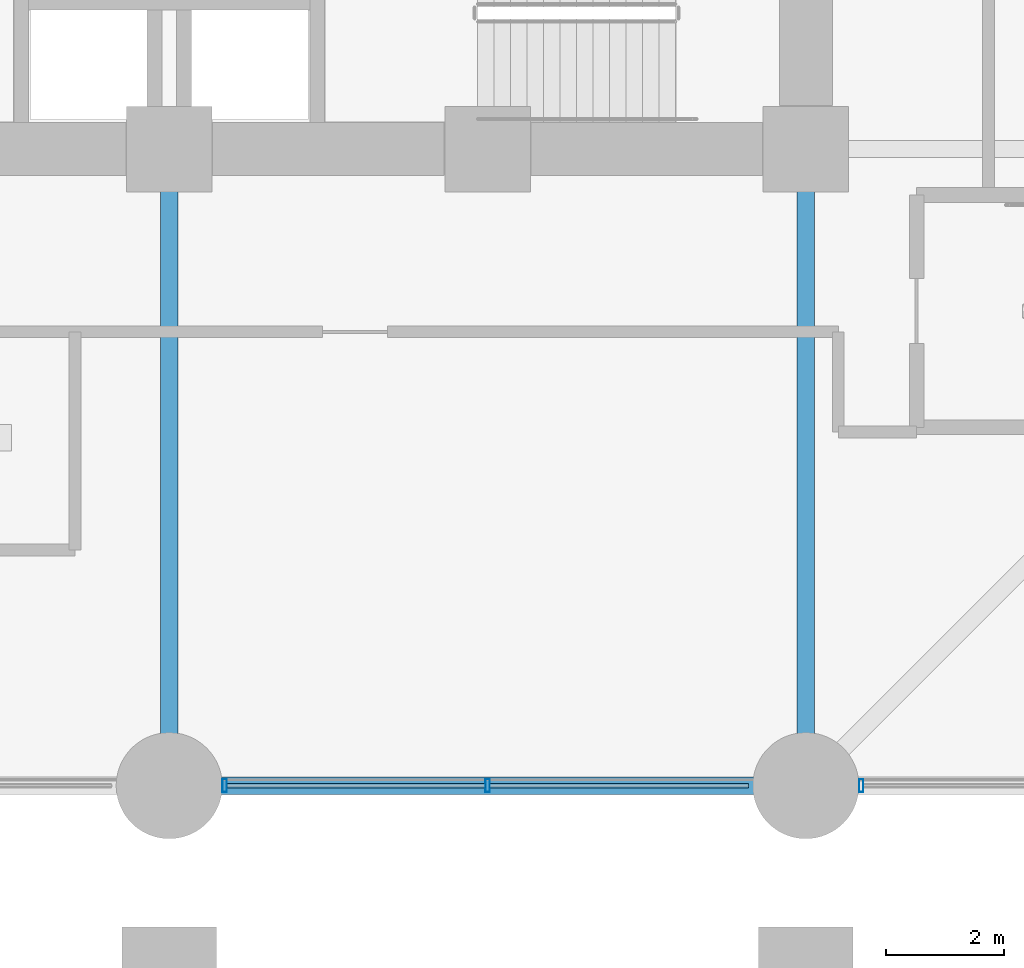
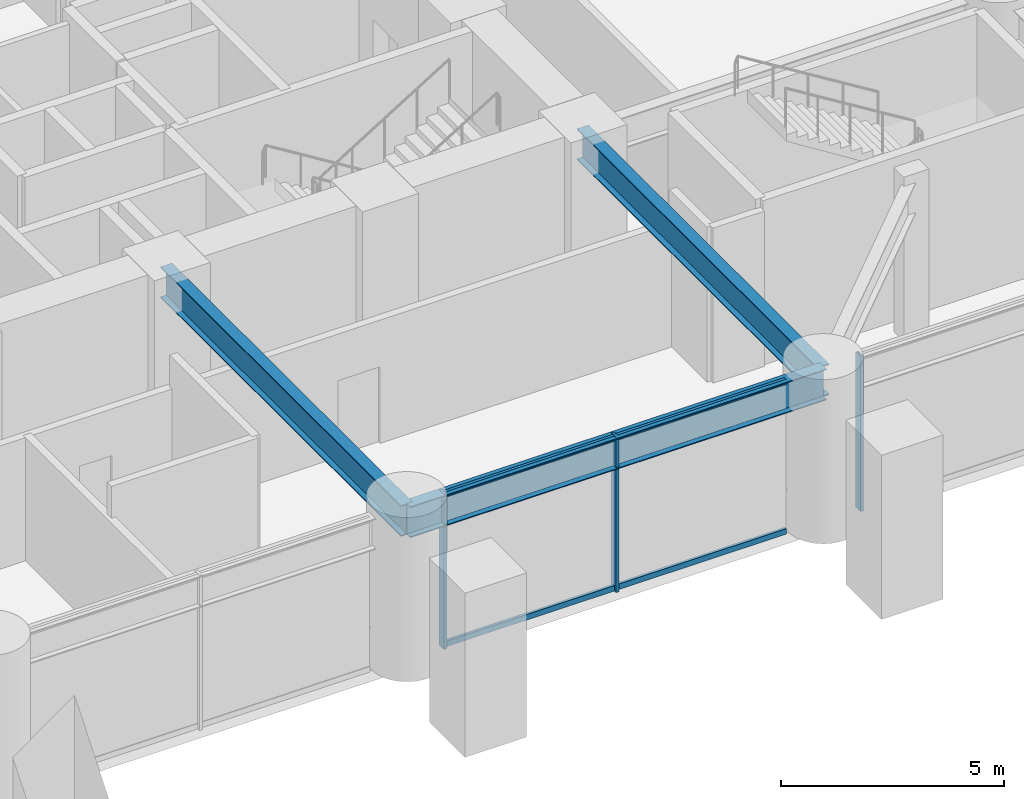
# One storey, part 9 of 31: 7 members, 3 beams, 1 element without a shape of its own.
"""IFC4 building model written with IfcOpenShell, lengths in metres."""

import ifcopenshell
import ifcopenshell.guid

model = None  # the IFC model being written
_history = None  # IfcOwnerHistory: only IFC2X3 demands one
_inside = {}  # id of a spatial element -> (the spatial element, [elements in it])
_under = {}  # id of a project, library or spatial element -> (it, [spatial elements below it])
_declared = {}  # id of a project -> (the project, [libraries it declares])
_typed = {}  # id of a type object -> (the type object, [elements of that type])
_made_of = {}  # id of a material, layer set ... -> (it, [elements and type objects made of it])


def new_model(schema):
    """Start an empty IFC model of exactly this schema.

    Asked for "IFC4X3", IfcOpenShell would pick the latest addendum, in which some entities
    have other attributes; the version numbers below select the first issue.
    IFC2X3 requires an IfcOwnerHistory on every rooted entity: one is made here for all.
    """
    global model, _history
    if schema == "IFC4X3":
        model = ifcopenshell.file(schema_version=(4, 3, 0, 0))
    else:
        model = ifcopenshell.file(schema=schema)
    _inside.clear()
    _under.clear()
    _declared.clear()
    _typed.clear()
    _made_of.clear()
    _history = None
    if model.schema == "IFC2X3":
        org = make("IfcOrganization", Name="unknown")
        user = make(
            "IfcPersonAndOrganization",
            ThePerson=make("IfcPerson", FamilyName="unknown"),
            TheOrganization=org,
        )
        app = make(
            "IfcApplication",
            ApplicationDeveloper=org,
            Version="unknown",
            ApplicationFullName="unknown",
            ApplicationIdentifier="unknown",
        )
        _history = make(
            "IfcOwnerHistory",
            OwningUser=user,
            OwningApplication=app,
            ChangeAction="ADDED",
            CreationDate=0,
        )
    return model


def make(cls, **values):
    """One entity of the class cls with the attributes given. An attribute that is None is left unset."""
    return model.create_entity(
        cls, **{name: value for name, value in values.items() if value is not None}
    )


def rooted(cls, **values):
    """An entity with a GlobalId (a new one), such as an element, a storey or a relation."""
    return make(cls, GlobalId=ifcopenshell.guid.new(), OwnerHistory=_history, **values)


def si_unit(unit_type, name, prefix=None):
    """IfcSIUnit, for example si_unit("LENGTHUNIT", "METRE", prefix="MILLI")."""
    return make("IfcSIUnit", UnitType=unit_type, Prefix=prefix, Name=name)


def assignment(units):
    """IfcUnitAssignment: the units of a project."""
    return None if units is None else make("IfcUnitAssignment", Units=units)


def point(xyz):
    """IfcCartesianPoint."""
    return None if xyz is None else make("IfcCartesianPoint", Coordinates=xyz)


def direction(xyz):
    """IfcDirection."""
    return None if xyz is None else make("IfcDirection", DirectionRatios=xyz)


def frame(location, z_axis=None, x_axis=None):
    """IfcAxis2Placement3D, a coordinate frame: its origin and axes. An axis left out is left unset."""
    return make(
        "IfcAxis2Placement3D",
        Location=point(location),
        Axis=direction(z_axis),
        RefDirection=direction(x_axis),
    )


def frame_2d(location, x_axis=None):
    """IfcAxis2Placement2D, a coordinate frame in the plane: its origin and x axis."""
    return make(
        "IfcAxis2Placement2D", Location=point(location), RefDirection=direction(x_axis)
    )


def origin():
    """The frame at (0, 0, 0) with its axes left unset."""
    return frame((0.0, 0.0, 0.0))


def origin_2d():
    """The frame at (0, 0) in the plane with its x axis left unset."""
    return frame_2d((0.0, 0.0))


def place(relative_to, where):
    """IfcLocalPlacement: puts the frame where relative to a parent placement (None: the world)."""
    return make(
        "IfcLocalPlacement", PlacementRelTo=relative_to, RelativePlacement=where
    )


def context(
    kind, dimensions, precision=None, world=None, true_north=None, identifier=None
):
    """IfcGeometricRepresentationContext, for example the 3D "Model" context."""
    return make(
        "IfcGeometricRepresentationContext",
        ContextIdentifier=identifier,
        ContextType=kind,
        CoordinateSpaceDimension=dimensions,
        Precision=precision,
        WorldCoordinateSystem=world,
        TrueNorth=true_north,
    )


def subcontext(parent, identifier, kind, view, scale=None):
    """IfcGeometricRepresentationSubContext, for example "Body" below "Model"."""
    return make(
        "IfcGeometricRepresentationSubContext",
        ContextIdentifier=identifier,
        ContextType=kind,
        ParentContext=parent,
        TargetScale=scale,
        TargetView=view,
    )


def project(units=None, contexts=None):
    """IfcProject with its units and contexts."""
    return rooted(
        "IfcProject",
        Name="project",
        RepresentationContexts=contexts,
        UnitsInContext=assignment(units),
    )


def spatial(cls, under=None, at=None, **own):
    """A site, building, storey or space (cls), placed at a placement, below another one or the project."""
    s = rooted(cls, ObjectPlacement=at, **own)
    if under is not None:
        _under.setdefault(under.id(), (under, []))[1].append(s)
    return s


def profile(cls, at=None, kind="AREA", **sizes):
    """A parametric profile (cls). Its sizes go by their IFC names, for example OverallWidth=200.0."""
    return make(cls, ProfileType=kind, Position=at, **sizes)


def hollow_rectangle(**sizes):
    """IfcRectangleHollowProfileDef."""
    return profile("IfcRectangleHollowProfileDef", **sizes)


def i_section(**sizes):
    """IfcIShapeProfileDef."""
    return profile("IfcIShapeProfileDef", **sizes)


def extrude(swept, where, along, depth):
    """IfcExtrudedAreaSolid: the profile swept, set in the frame where, extruded along a direction by depth."""
    return make(
        "IfcExtrudedAreaSolid",
        SweptArea=swept,
        Position=where,
        ExtrudedDirection=direction(along),
        Depth=depth,
    )


def shape(context_of_items, identifier, shape_type, items):
    """IfcShapeRepresentation: the items that make up one representation, for example the "Body"."""
    return make(
        "IfcShapeRepresentation",
        ContextOfItems=context_of_items,
        RepresentationIdentifier=identifier,
        RepresentationType=shape_type,
        Items=items,
    )


def material(Name=None, Category=None):
    """IfcMaterial."""
    return make("IfcMaterial", Name=Name, Category=Category)


def layer(
    of_material, thickness, ventilated=None, Name=None, Category=None, Priority=None
):
    """IfcMaterialLayer: one layer of a wall or slab, of a material (None: an air gap)."""
    return make(
        "IfcMaterialLayer",
        Material=of_material,
        LayerThickness=thickness,
        IsVentilated=ventilated,
        Name=Name,
        Category=Category,
        Priority=Priority,
    )


def layer_set(layers, Name=None):
    """IfcMaterialLayerSet."""
    return make("IfcMaterialLayerSet", MaterialLayers=layers, LayerSetName=Name)


def material_profile(
    of_material, cross_section, Name=None, Category=None, Priority=None
):
    """IfcMaterialProfile: a cross section and its material."""
    return make(
        "IfcMaterialProfile",
        Name=Name,
        Material=of_material,
        Profile=cross_section,
        Priority=Priority,
        Category=Category,
    )


def profile_set(profiles, Name=None, composite=None):
    """IfcMaterialProfileSet."""
    return make(
        "IfcMaterialProfileSet",
        Name=Name,
        MaterialProfiles=profiles,
        CompositeProfile=composite,
    )


def made_of(thing, what):
    """Note that an element or type object is made of a material, layer set ...; save() writes the relation."""
    if what is not None:
        _made_of.setdefault(what.id(), (what, []))[1].append(thing)
    return thing


def type_object(cls, material=None, **own):
    """A type object (cls), such as IfcWallType, which elements share."""
    return made_of(rooted(cls, **own), material)


def element(
    cls,
    number,
    at=None,
    inside=None,
    cuts=None,
    type_object=None,
    material=None,
    context=None,
    identifier="Body",
    shape_type=None,
    held_by="IfcProductDefinitionShape",
    body=None,
    shapes=None,
    **own,
):
    """One element of the class cls, such as IfcWall. Its Tag is "e" and its number.

    at: its placement. inside: the storey or other place that contains it. cuts: it is an
    opening in that element (IfcRelVoidsElement). A single representation is given by context,
    identifier, shape_type and body (its items); several are given by shapes. held_by: the class
    of the entity that holds the representations. save() writes the other relations.
    """
    e = rooted(cls, Tag="e%d" % number, ObjectPlacement=at, **own)
    if body is not None:
        shapes = [shape(context, identifier, shape_type, body)]
    if shapes is not None:
        e.Representation = make(held_by, Representations=shapes)
    if inside is not None:
        _inside.setdefault(inside.id(), (inside, []))[1].append(e)
    if cuts is not None:
        rooted(
            "IfcRelVoidsElement", RelatingBuildingElement=cuts, RelatedOpeningElement=e
        )
    if type_object is not None:
        _typed.setdefault(type_object.id(), (type_object, []))[1].append(e)
    return made_of(e, material)


def aggregate(whole, parts):
    """IfcRelAggregates: a whole, such as a stair, and the parts it consists of."""
    return rooted("IfcRelAggregates", RelatingObject=whole, RelatedObjects=parts)


def save(model, path):
    """Write the relations noted so far, then the file.

    IfcRelAggregates (storeys below a building ...), IfcRelContainedInSpatialStructure (elements
    in a storey), IfcRelDefinesByType, IfcRelAssociatesMaterial and IfcRelDeclares: one each for
    every whole, place, type object, material and project.
    """
    for whole, parts in _under.values():
        aggregate(whole, parts)
    for where, things in _inside.values():
        rooted(
            "IfcRelContainedInSpatialStructure",
            RelatedElements=things,
            RelatingStructure=where,
        )
    for kind, things in _typed.values():
        rooted("IfcRelDefinesByType", RelatedObjects=things, RelatingType=kind)
    for what, things in _made_of.values():
        rooted("IfcRelAssociatesMaterial", RelatedObjects=things, RelatingMaterial=what)
    for by, libraries in _declared.values():
        rooted("IfcRelDeclares", RelatingContext=by, RelatedDefinitions=libraries)
    model.write(path)


model = new_model("IFC4")

# Units and contexts
model_context = context("Model", 3, precision=1e-05, world=origin(), true_north=direction((0.0, 1.0)))
body_context = subcontext(model_context, "Body", "Model", "MODEL_VIEW")
ifc_project = project(units=[si_unit("LENGTHUNIT", "METRE"), si_unit("AREAUNIT", "SQUARE_METRE"), si_unit("VOLUMEUNIT", "CUBIC_METRE"), si_unit("PLANEANGLEUNIT", "RADIAN"), si_unit("MASSUNIT", "GRAM", prefix="KILO")], contexts=[model_context])

# Site, building, storey
site_placement = place(None, origin())
site = spatial("IfcSite", under=ifc_project, at=site_placement, CompositionType="ELEMENT")
building_placement = place(site_placement, origin())
building = spatial("IfcBuilding", under=site, at=building_placement, Name="Surkhivell Harbour Commons", CompositionType="ELEMENT")
storey_placement = place(building_placement, frame((0.0, 0.0, 4.5)))
storey = spatial("IfcBuildingStorey", under=building, at=storey_placement, Name="L01", CompositionType="ELEMENT", Elevation=4.5)

# Beams
ifc_material_1 = material(Name="Steel S460", Category="steel")
ifc_material_profile_1 = material_profile(ifc_material_1, i_section(OverallWidth=0.2939453125, OverallDepth=0.85107421875, WebThickness=0.01611328125, FlangeThickness=0.02685546875, at=origin_2d()), Name="UB838x292x226")
ifc_profile_set_1 = profile_set([ifc_material_profile_1], Name="Steel S460")
beam_type = type_object("IfcBeamType", Name="BM-SPN-838", PredefinedType="SPANDREL", material=ifc_profile_set_1)
for number, where, z_axis, x_axis, name in (
    (1, (0.0, -21.60009765625, 3.824462890625), (0.0, 1.0, 0.0), (-1.0, 0.0, 0.0), "L01 Framing Beam (0.0,-21.6)"),
    (2, (0.0, -21.60009765625, 3.824462890625), (1.0, 0.0, 0.0), (0.0, 1.0, 0.0), "L01 Framing Beam (0.0,-21.6)"),
    (3, (10.800048828125, -21.60009765625, 3.824462890625), (0.0, 1.0, 0.0), (-1.0, 0.0, 0.0), "L01 Framing Beam (10.8,-21.6)"),
):
    element("IfcBeam", number, at=place(storey_placement, frame(where, z_axis=z_axis, x_axis=x_axis)), inside=storey, type_object=beam_type, Name=name, PredefinedType="SPANDREL", context=body_context, shape_type="SweptSolid", body=[
        extrude(i_section(OverallWidth=0.2939453125, OverallDepth=0.85107421875, WebThickness=0.01611328125, FlangeThickness=0.02685546875, at=origin_2d()), origin(), (0.0, 0.0, 1.0), 10.800048828125),
    ])

# Curtain wall, members
ifc_material_2 = material(Name="Anodised pale-metal aluminium and insulated glazing", Category="aluminium")
ifc_layer = layer(ifc_material_2, 0.239990234375)
ifc_layer_set = layer_set([ifc_layer], Name="Anodised pale-metal aluminium and insulated glazing")
curtain_wall_type = type_object("IfcCurtainWallType", Name="CW-SYS-POD", PredefinedType="NOTDEFINED", material=ifc_layer_set)
curtain_wall_placement = place(storey_placement, origin())
curtain_wall = element("IfcCurtainWall", 4, at=curtain_wall_placement, inside=storey, type_object=curtain_wall_type, Name="L01 Curtain Wall CW-L01-P01", PredefinedType="NOTDEFINED")
ifc_material_3 = material(Name="Anodised pale-metal aluminium alloy 6063-T6", Category="aluminium")
ifc_material_profile_2 = material_profile(ifc_material_3, hollow_rectangle(XDim=0.074951171875, YDim=0.219970703125, WallThickness=0.00390625, at=origin_2d()), Name="ALU-MULL-75x220")
ifc_profile_set_2 = profile_set([ifc_material_profile_2], Name="Anodised pale-metal aluminium alloy 6063-T6")
member_type_1 = type_object("IfcMemberType", Name="CWM-220", PredefinedType="MULLION", material=ifc_profile_set_2)
member_1_placement = place(storey_placement, frame((0.939453125, -21.60009765625, 0.0), z_axis=(0.0, 0.0, 1.0), x_axis=(1.0, 0.0, 0.0)))
member_1 = element("IfcMember", 5, at=member_1_placement, type_object=member_type_1, Name="CW-POD mullion 7", PredefinedType="MULLION", context=body_context, shape_type="SweptSolid", body=[
    extrude(hollow_rectangle(XDim=0.074951171875, YDim=0.219970703125, WallThickness=0.00390625, at=origin_2d()), origin(), (0.0, 0.0, 1.0), 4.25),
])
member_2_placement = place(storey_placement, frame((5.39990234375, -21.60009765625, 0.0), z_axis=(0.0, 0.0, 1.0), x_axis=(1.0, 0.0, 0.0)))
member_2 = element("IfcMember", 6, at=member_2_placement, type_object=member_type_1, Name="CW-POD mullion 8", PredefinedType="MULLION", context=body_context, shape_type="SweptSolid", body=[
    extrude(hollow_rectangle(XDim=0.074951171875, YDim=0.219970703125, WallThickness=0.00390625, at=origin_2d()), origin(), (0.0, 0.0, 1.0), 4.25),
])
member_3_placement = place(storey_placement, frame((11.739501953125, -21.60009765625, 0.0), z_axis=(0.0, 0.0, 1.0), x_axis=(1.0, 0.0, 0.0)))
member_3 = element("IfcMember", 7, at=member_3_placement, type_object=member_type_1, Name="CW-POD mullion 9", PredefinedType="MULLION", context=body_context, shape_type="SweptSolid", body=[
    extrude(hollow_rectangle(XDim=0.074951171875, YDim=0.219970703125, WallThickness=0.00390625, at=origin_2d()), origin(), (0.0, 0.0, 1.0), 4.25),
])
ifc_material_profile_3 = material_profile(ifc_material_3, hollow_rectangle(XDim=0.074951171875, YDim=0.14990234375, WallThickness=0.00341796875, at=origin_2d()), Name="ALU-TRAN-75x150")
ifc_profile_set_3 = profile_set([ifc_material_profile_3], Name="Anodised pale-metal aluminium alloy 6063-T6")
member_type_2 = type_object("IfcMemberType", Name="CWT-150", PredefinedType="USERDEFINED", material=ifc_profile_set_3)
member_4_placement = place(storey_placement, frame((0.97705078125, -21.60009765625, 0.074951171875), z_axis=(1.0, 0.0, 0.0), x_axis=(0.0, 1.0, 0.0)))
member_4 = element("IfcMember", 8, at=member_4_placement, type_object=member_type_2, Name="CW-POD transom 7.1", ObjectType="TRANSOM", PredefinedType="USERDEFINED", context=body_context, shape_type="SweptSolid", body=[
    extrude(hollow_rectangle(XDim=0.074951171875, YDim=0.14990234375, WallThickness=0.00341796875, at=origin_2d()), origin(), (0.0, 0.0, 1.0), 4.385498046875),
])
member_5_placement = place(storey_placement, frame((0.97705078125, -21.60009765625, 4.175048828125), z_axis=(1.0, 0.0, 0.0), x_axis=(0.0, 1.0, 0.0)))
member_5 = element("IfcMember", 9, at=member_5_placement, type_object=member_type_2, Name="CW-POD transom 7.2", ObjectType="TRANSOM", PredefinedType="USERDEFINED", context=body_context, shape_type="SweptSolid", body=[
    extrude(hollow_rectangle(XDim=0.074951171875, YDim=0.14990234375, WallThickness=0.00341796875, at=origin_2d()), origin(), (0.0, 0.0, 1.0), 4.385498046875),
])
member_6_placement = place(storey_placement, frame((5.4375, -21.60009765625, 0.074951171875), z_axis=(1.0, 0.0, 0.0), x_axis=(0.0, 1.0, 0.0)))
member_6 = element("IfcMember", 10, at=member_6_placement, type_object=member_type_2, Name="CW-POD transom 8.1", ObjectType="TRANSOM", PredefinedType="USERDEFINED", context=body_context, shape_type="SweptSolid", body=[
    extrude(hollow_rectangle(XDim=0.074951171875, YDim=0.14990234375, WallThickness=0.00341796875, at=origin_2d()), origin(), (0.0, 0.0, 1.0), 4.385498046875),
])
member_7_placement = place(storey_placement, frame((5.4375, -21.60009765625, 4.175048828125), z_axis=(1.0, 0.0, 0.0), x_axis=(0.0, 1.0, 0.0)))
member_7 = element("IfcMember", 11, at=member_7_placement, type_object=member_type_2, Name="CW-POD transom 8.2", ObjectType="TRANSOM", PredefinedType="USERDEFINED", context=body_context, shape_type="SweptSolid", body=[
    extrude(hollow_rectangle(XDim=0.074951171875, YDim=0.14990234375, WallThickness=0.00341796875, at=origin_2d()), origin(), (0.0, 0.0, 1.0), 4.385498046875),
])
aggregate(curtain_wall, [member_1, member_2, member_4, member_5, member_6, member_7, member_3])

save(model, "model.ifc")
